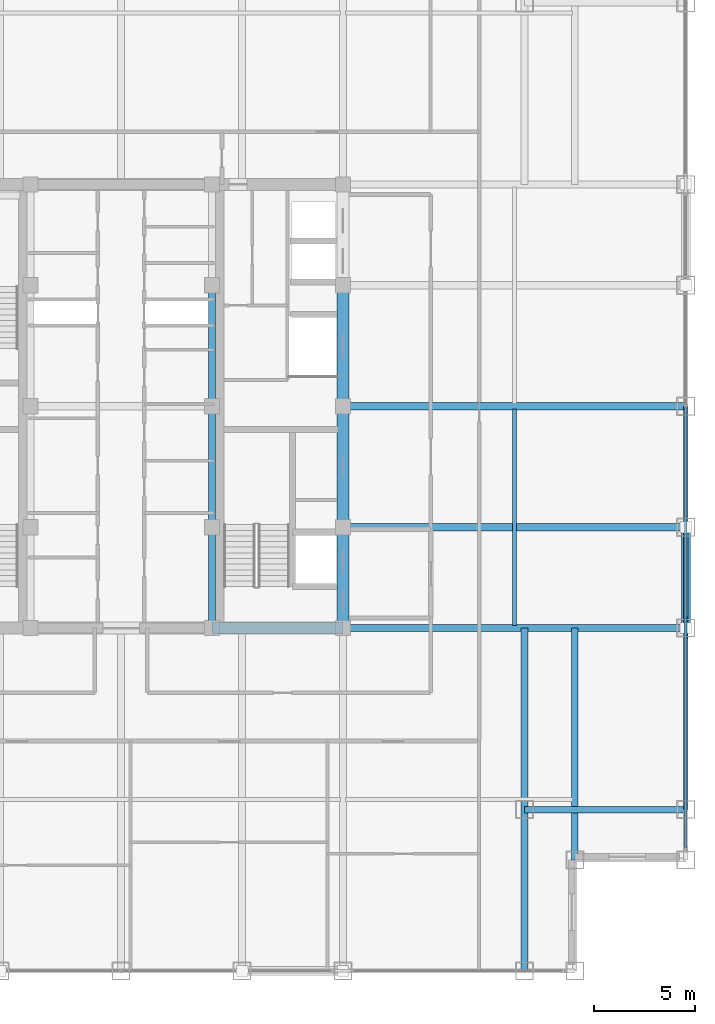
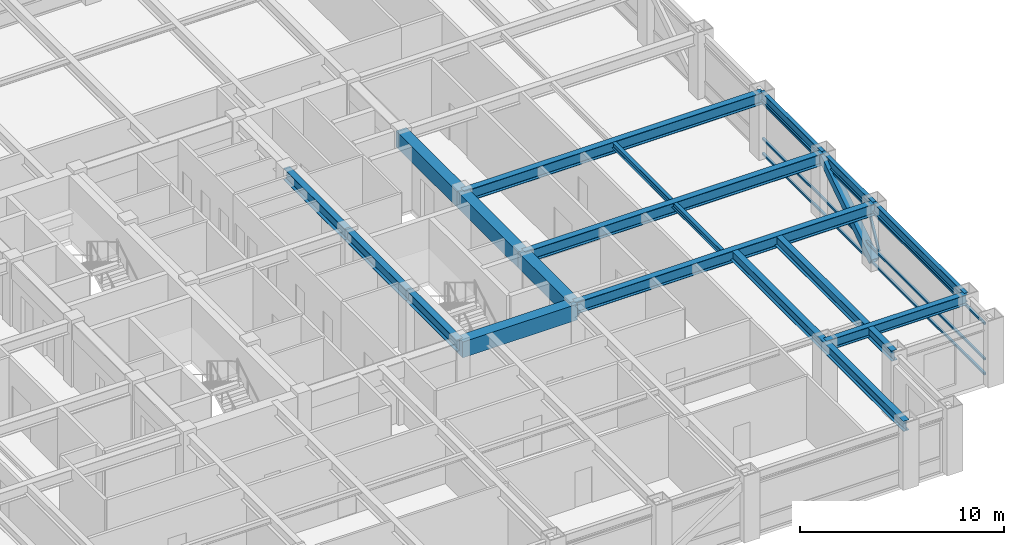
# One storey, part 9 of 22: 17 beams, 5 members, 1 element without a shape of its own.
"""IFC4 building model written with IfcOpenShell, lengths in metres."""

from ifc_helpers import new_model, si_unit, direction, frame, origin, origin_2d, place, context, subcontext, project, spatial, rectangle, hollow_rectangle, i_section, extrude, source, transform, mapped, material, material_profile, profile_set, type_object, element, aggregate, save


model = new_model("IFC4")

# Units and contexts
model_context = context("Model", 3, precision=1e-05, world=origin(), true_north=direction((0.0, 1.0)))
body_context = subcontext(model_context, "Body", "Model", "MODEL_VIEW")
ifc_project = project(units=[si_unit("LENGTHUNIT", "METRE"), si_unit("AREAUNIT", "SQUARE_METRE"), si_unit("VOLUMEUNIT", "CUBIC_METRE"), si_unit("PLANEANGLEUNIT", "RADIAN"), si_unit("MASSUNIT", "GRAM", prefix="KILO")], contexts=[model_context])

# Site, building, storey
site_placement = place(None, origin())
site = spatial("IfcSite", under=ifc_project, at=site_placement, CompositionType="ELEMENT")
building_placement = place(site_placement, origin())
building = spatial("IfcBuilding", under=site, at=building_placement, Name="Khorayat Bourse Tower", CompositionType="ELEMENT")
storey_placement = place(building_placement, frame((0.0, 0.0, 297.5)))
storey = spatial("IfcBuildingStorey", under=building, at=storey_placement, Name="L70", CompositionType="ELEMENT", Elevation=297.5)

# Beams
ifc_material_1 = material(Name="Steel ASTM A992 Grade 50", Category="steel")
ifc_material_profile_1 = material_profile(ifc_material_1, i_section(OverallWidth=0.35498046875, OverallDepth=0.695068359375, WebThickness=0.015380859375, FlangeThickness=0.02490234375, FilletRadius=0.01806640625, at=origin_2d()), Name="W690X217")
ifc_profile_set_1 = profile_set([ifc_material_profile_1], Name="Steel ASTM A992 Grade 50")
beam_type_1 = type_object("IfcBeamType", Name="BM-GIRD-690", PredefinedType="BEAM", material=ifc_profile_set_1)
shared_shape_1 = source(origin(), body_context, "Body", "SweptSolid", [
    extrude(i_section(OverallWidth=0.35498046875, OverallDepth=0.695068359375, WebThickness=0.015380859375, FlangeThickness=0.02490234375, FilletRadius=0.01806640625, at=origin_2d()), origin(), (0.0, 0.0, 1.0), 5.0),
])
beam_1_placement = place(storey_placement, frame((4.5, -11.0, 3.4326171875), z_axis=(0.0, 1.0, 0.0), x_axis=(-1.0, 0.0, 0.0)))
element("IfcBeam", 1, at=beam_1_placement, inside=storey, type_object=beam_type_1, Name="L70 BM-GIRD-690 BM-L70-CRX-09", PredefinedType="BEAM", context=body_context, shape_type="MappedRepresentation", body=[
    mapped(shared_shape_1, transform((0.0, 0.0, 0.0), scale=1.0)),
])
shared_shape_2 = source(origin(), body_context, "Body", "SweptSolid", [
    extrude(i_section(OverallWidth=0.35498046875, OverallDepth=0.695068359375, WebThickness=0.015380859375, FlangeThickness=0.02490234375, FilletRadius=0.01806640625, at=origin_2d()), origin(), (0.0, 0.0, 1.0), 6.0),
])
for number, where, z_axis, x_axis, name in (
    (2, (4.5, -6.0, 3.4326171875), (0.0, 1.0, 0.0), (-1.0, 0.0, 0.0), "L70 BM-GIRD-690 BM-L70-CRX-10"),
    (3, (4.5, 0.0, 3.4326171875), (0.0, 1.0, 0.0), (-1.0, 0.0, 0.0), "L70 BM-GIRD-690 BM-L70-CRX-11"),
):
    element("IfcBeam", number, at=place(storey_placement, frame(where, z_axis=z_axis, x_axis=x_axis)), inside=storey, type_object=beam_type_1, Name=name, PredefinedType="BEAM", context=body_context, shape_type="MappedRepresentation", body=[
        mapped(shared_shape_2, transform((0.0, 0.0, 0.0), scale=1.0)),
    ])
ifc_material_profile_2 = material_profile(ifc_material_1, i_section(OverallWidth=0.324951171875, OverallDepth=0.615966796875, WebThickness=0.013916015625, FlangeThickness=0.021484375, FilletRadius=0.01611328125, at=origin_2d()), Name="W610X174")
ifc_profile_set_2 = profile_set([ifc_material_profile_2], Name="Steel ASTM A992 Grade 50")
beam_type_2 = type_object("IfcBeamType", Name="BM-GIRD-610", PredefinedType="BEAM", material=ifc_profile_set_2)
shared_shape_3 = source(origin(), body_context, "Body", "SweptSolid", [
    extrude(i_section(OverallWidth=0.324951171875, OverallDepth=0.615966796875, WebThickness=0.013916015625, FlangeThickness=0.021484375, FilletRadius=0.01611328125, at=origin_2d()), origin(), (0.0, 0.0, 1.0), 17.0),
])
beam_2_placement = place(storey_placement, frame((20.0, -28.0, 3.471923828125), z_axis=(0.0, 1.0, 0.0), x_axis=(-1.0, 0.0, 0.0)))
element("IfcBeam", 4, at=beam_2_placement, inside=storey, type_object=beam_type_2, Name="L70 BM-GIRD-610 BM-L70-CNRY-086", PredefinedType="BEAM", context=body_context, shape_type="MappedRepresentation", body=[
    mapped(shared_shape_3, transform((0.0, 0.0, 0.0), scale=1.0)),
])
ifc_material_2 = material(Name="Concrete C60/75", Category="concrete")
ifc_material_profile_3 = material_profile(ifc_material_2, rectangle(XDim=0.60009765625, YDim=0.949951171875, at=origin_2d()), Name="RC 600x950")
ifc_profile_set_3 = profile_set([ifc_material_profile_3], Name="Concrete C60/75")
beam_type_3 = type_object("IfcBeamType", Name="BM-COUP-950", PredefinedType="BEAM", material=ifc_profile_set_3)
shared_shape_4 = source(origin(), body_context, "Body", "SweptSolid", [
    extrude(rectangle(XDim=0.60009765625, YDim=0.949951171875, at=origin_2d()), origin(), (0.0, 0.0, 1.0), 5.0),
])
beam_3_placement = place(storey_placement, frame((11.0, -11.0, 3.304931640625), z_axis=(0.0, 1.0, 0.0), x_axis=(-1.0, 0.0, 0.0)))
element("IfcBeam", 5, at=beam_3_placement, inside=storey, type_object=beam_type_3, Name="L70 BM-COUP-950 BM-L70-CRX-13", PredefinedType="BEAM", context=body_context, shape_type="MappedRepresentation", body=[
    mapped(shared_shape_4, transform((0.0, 0.0, 0.0), scale=1.0)),
])
shared_shape_5 = source(origin(), body_context, "Body", "SweptSolid", [
    extrude(rectangle(XDim=0.60009765625, YDim=0.949951171875, at=origin_2d()), origin(), (0.0, 0.0, 1.0), 6.0),
])
for number, where, z_axis, x_axis, name in (
    (6, (11.0, -6.0, 3.304931640625), (0.0, 1.0, 0.0), (-1.0, 0.0, 0.0), "L70 BM-COUP-950 BM-L70-CRX-14"),
    (7, (11.0, 0.0, 3.304931640625), (0.0, 1.0, 0.0), (-1.0, 0.0, 0.0), "L70 BM-COUP-950 BM-L70-CRX-15"),
):
    element("IfcBeam", number, at=place(storey_placement, frame(where, z_axis=z_axis, x_axis=x_axis)), inside=storey, type_object=beam_type_3, Name=name, PredefinedType="BEAM", context=body_context, shape_type="MappedRepresentation", body=[
        mapped(shared_shape_5, transform((0.0, 0.0, 0.0), scale=1.0)),
    ])
shared_shape_6 = source(origin(), body_context, "Body", "SweptSolid", [
    extrude(rectangle(XDim=0.60009765625, YDim=0.949951171875, at=origin_2d()), origin(), (0.0, 0.0, 1.0), 6.5),
])
beam_4_placement = place(storey_placement, frame((4.5, -11.0, 3.304931640625), z_axis=(1.0, 0.0, 0.0), x_axis=(0.0, 1.0, 0.0)))
element("IfcBeam", 8, at=beam_4_placement, inside=storey, type_object=beam_type_3, Name="L70 BM-COUP-950 BM-L70-CRY-19", PredefinedType="BEAM", context=body_context, shape_type="MappedRepresentation", body=[
    mapped(shared_shape_6, transform((0.0, 0.0, 0.0), scale=1.0)),
])

# Member
ifc_material_3 = material(Name="Steel EN 10025-4 S460M", Category="steel")
ifc_material_profile_4 = material_profile(ifc_material_3, hollow_rectangle(XDim=0.449951171875, YDim=0.449951171875, WallThickness=0.02490234375, at=origin_2d()), Name="HSS 450x450x25")
ifc_profile_set_4 = profile_set([ifc_material_profile_4], Name="Steel EN 10025-4 S460M")
member_type_1 = type_object("IfcMemberType", Name="MBR-TUBE-450", PredefinedType="BRACE", material=ifc_profile_set_4)
shared_shape_7 = source(origin(), body_context, "Body", "SweptSolid", [
    extrude(hollow_rectangle(XDim=0.449951171875, YDim=0.449951171875, WallThickness=0.02490234375, at=origin_2d()), origin(), (0.0, 0.0, 1.0), 5.979736328125),
])
member_1_placement = place(storey_placement, frame((28.0, -11.0, 0.25), z_axis=(0.0, 0.836141536525, 0.548513747227), x_axis=(-1.0, 0.0, 0.0)))
element("IfcMember", 9, at=member_1_placement, inside=storey, type_object=member_type_1, Name="L70 Perimeter Tube Brace 07", PredefinedType="BRACE", context=body_context, shape_type="MappedRepresentation", body=[
    mapped(shared_shape_7, transform((0.0, 0.0, 0.0), scale=1.0)),
])

# Beams
shared_shape_8 = source(origin(), body_context, "Body", "SweptSolid", [
    extrude(i_section(OverallWidth=0.35498046875, OverallDepth=0.695068359375, WebThickness=0.015380859375, FlangeThickness=0.02490234375, FilletRadius=0.01806640625, at=origin_2d()), origin(), (0.0, 0.0, 1.0), 17.0),
])
for number, where, z_axis, x_axis, name in (
    (10, (11.0, -11.0, 3.4326171875), (1.0, 0.0, 0.0), (0.0, 1.0, 0.0), "L70 BM-GIRD-690 BM-L70-RADX-074"),
    (11, (11.0, -6.0, 3.4326171875), (1.0, 0.0, 0.0), (0.0, 1.0, 0.0), "L70 BM-GIRD-690 BM-L70-RADX-076"),
    (12, (11.0, 0.0, 3.4326171875), (1.0, 0.0, 0.0), (0.0, 1.0, 0.0), "L70 BM-GIRD-690 BM-L70-RADX-078"),
):
    element("IfcBeam", number, at=place(storey_placement, frame(where, z_axis=z_axis, x_axis=x_axis)), inside=storey, type_object=beam_type_1, Name=name, PredefinedType="BEAM", context=body_context, shape_type="MappedRepresentation", body=[
        mapped(shared_shape_8, transform((0.0, 0.0, 0.0), scale=1.0)),
    ])
shared_shape_9 = source(origin(), body_context, "Body", "SweptSolid", [
    extrude(i_section(OverallWidth=0.324951171875, OverallDepth=0.615966796875, WebThickness=0.013916015625, FlangeThickness=0.021484375, FilletRadius=0.01611328125, at=origin_2d()), origin(), (0.0, 0.0, 1.0), 11.5),
])
beam_5_placement = place(storey_placement, frame((22.5, -22.5, 3.471923828125), z_axis=(0.0, 1.0, 0.0), x_axis=(-1.0, 0.0, 0.0)))
element("IfcBeam", 13, at=beam_5_placement, inside=storey, type_object=beam_type_2, Name="L70 BM-GIRD-610 BM-L70-CNRY-090", PredefinedType="BEAM", context=body_context, shape_type="MappedRepresentation", body=[
    mapped(shared_shape_9, transform((0.0, 0.0, 0.0), scale=1.0)),
])
shared_shape_10 = source(origin(), body_context, "Body", "SweptSolid", [
    extrude(i_section(OverallWidth=0.324951171875, OverallDepth=0.615966796875, WebThickness=0.013916015625, FlangeThickness=0.021484375, FilletRadius=0.01611328125, at=origin_2d()), origin(), (0.0, 0.0, 1.0), 8.0),
])
beam_6_placement = place(storey_placement, frame((20.0, -20.0, 3.471923828125), z_axis=(1.0, 0.0, 0.0), x_axis=(0.0, 1.0, 0.0)))
element("IfcBeam", 14, at=beam_6_placement, inside=storey, type_object=beam_type_2, Name="L70 BM-GIRD-610 BM-L70-CNRX-092", PredefinedType="BEAM", context=body_context, shape_type="MappedRepresentation", body=[
    mapped(shared_shape_10, transform((0.0, 0.0, 0.0), scale=1.0)),
])
ifc_material_profile_5 = material_profile(ifc_material_1, i_section(OverallWidth=0.202880859375, OverallDepth=0.346923828125, WebThickness=0.0078125, FlangeThickness=0.013427734375, FilletRadius=0.010009765625, at=origin_2d()), Name="W360X64")
ifc_profile_set_5 = profile_set([ifc_material_profile_5], Name="Steel ASTM A992 Grade 50")
beam_type_4 = type_object("IfcBeamType", Name="BM-JOIST-360", PredefinedType="JOIST", material=ifc_profile_set_5)
shared_shape_11 = source(origin(), body_context, "Body", "SweptSolid", [
    extrude(i_section(OverallWidth=0.202880859375, OverallDepth=0.346923828125, WebThickness=0.0078125, FlangeThickness=0.013427734375, FilletRadius=0.010009765625, at=origin_2d()), origin(), (0.0, 0.0, 1.0), 10.740234375),
])
beam_7_placement = place(storey_placement, frame((19.5, -10.8701171875, 3.6064453125), z_axis=(0.0, 1.0, 0.0), x_axis=(-1.0, 0.0, 0.0)))
element("IfcBeam", 15, at=beam_7_placement, inside=storey, type_object=beam_type_4, Name="L70 BM-JOIST-360 BM-L70-JSTY-104", PredefinedType="JOIST", context=body_context, shape_type="MappedRepresentation", body=[
    mapped(shared_shape_11, transform((0.0, 0.0, 0.0), scale=1.0)),
])
ifc_material_profile_6 = material_profile(ifc_material_1, i_section(OverallWidth=0.214111328125, OverallDepth=0.549072265625, WebThickness=0.0146484375, FlangeThickness=0.023681640625, FilletRadius=0.013916015625, at=origin_2d()), Name="W530X138")
ifc_profile_set_6 = profile_set([ifc_material_profile_6], Name="Steel ASTM A992 Grade 50")
beam_type_5 = type_object("IfcBeamType", Name="BM-SPAN-530", PredefinedType="SPANDREL", material=ifc_profile_set_6)
shared_shape_12 = source(origin(), body_context, "Body", "SweptSolid", [
    extrude(i_section(OverallWidth=0.214111328125, OverallDepth=0.549072265625, WebThickness=0.0146484375, FlangeThickness=0.023681640625, FilletRadius=0.013916015625, at=origin_2d()), origin(), (0.0, 0.0, 1.0), 9.0),
])
beam_8_placement = place(storey_placement, frame((28.0, -20.0, 3.505615234375), z_axis=(0.0, 1.0, 0.0), x_axis=(-1.0, 0.0, 0.0)))
element("IfcBeam", 16, at=beam_8_placement, inside=storey, type_object=beam_type_5, Name="L70 BM-SPAN-530 BM-L70-SPN-035", PredefinedType="SPANDREL", context=body_context, shape_type="MappedRepresentation", body=[
    mapped(shared_shape_12, transform((0.0, 0.0, 0.0), scale=1.0)),
])
shared_shape_13 = source(origin(), body_context, "Body", "SweptSolid", [
    extrude(i_section(OverallWidth=0.214111328125, OverallDepth=0.549072265625, WebThickness=0.0146484375, FlangeThickness=0.023681640625, FilletRadius=0.013916015625, at=origin_2d()), origin(), (0.0, 0.0, 1.0), 5.0),
])
beam_9_placement = place(storey_placement, frame((28.0, -11.0, 3.505615234375), z_axis=(0.0, 1.0, 0.0), x_axis=(-1.0, 0.0, 0.0)))
element("IfcBeam", 17, at=beam_9_placement, inside=storey, type_object=beam_type_5, Name="L70 BM-SPAN-530 BM-L70-SPN-036", PredefinedType="SPANDREL", context=body_context, shape_type="MappedRepresentation", body=[
    mapped(shared_shape_13, transform((0.0, 0.0, 0.0), scale=1.0)),
])
shared_shape_14 = source(origin(), body_context, "Body", "SweptSolid", [
    extrude(i_section(OverallWidth=0.214111328125, OverallDepth=0.549072265625, WebThickness=0.0146484375, FlangeThickness=0.023681640625, FilletRadius=0.013916015625, at=origin_2d()), origin(), (0.0, 0.0, 1.0), 6.0),
])
beam_10_placement = place(storey_placement, frame((28.0, -6.0, 3.505615234375), z_axis=(0.0, 1.0, 0.0), x_axis=(-1.0, 0.0, 0.0)))
element("IfcBeam", 18, at=beam_10_placement, inside=storey, type_object=beam_type_5, Name="L70 BM-SPAN-530 BM-L70-SPN-037", PredefinedType="SPANDREL", context=body_context, shape_type="MappedRepresentation", body=[
    mapped(shared_shape_14, transform((0.0, 0.0, 0.0), scale=1.0)),
])

# Curtain wall, members
ifc_material_4 = material(Name="Aluminium EN AW-6063 T6", Category="aluminium")
curtain_wall_type = type_object("IfcCurtainWallType", Name="CW-SYS-04", PredefinedType="NOTDEFINED", material=ifc_material_4)
curtain_wall_placement = place(storey_placement, origin())
curtain_wall = element("IfcCurtainWall", 19, at=curtain_wall_placement, inside=storey, type_object=curtain_wall_type, Name="L70 Curtain Wall CW-L70-E1", PredefinedType="NOTDEFINED")
ifc_material_profile_7 = material_profile(ifc_material_4, hollow_rectangle(XDim=0.1201171875, YDim=0.1201171875, WallThickness=0.0048828125, at=origin_2d()), Name="ALU 120x120x5")
ifc_profile_set_7 = profile_set([ifc_material_profile_7], Name="Aluminium EN AW-6063 T6")
member_type_2 = type_object("IfcMemberType", Name="CWM-DIAG-120", PredefinedType="MULLION", material=ifc_profile_set_7)
shared_shape_15 = source(origin(), body_context, "Body", "SweptSolid", [
    extrude(hollow_rectangle(XDim=0.1201171875, YDim=0.1201171875, WallThickness=0.0048828125, at=origin_2d()), origin(), (0.0, 0.0, 1.0), 2.0791015625),
])
member_2_placement = place(storey_placement, frame((28.0, -11.4541015625, 1.090087890625), z_axis=(0.0, 0.465717394116, 0.884933505309), x_axis=(-1.0, 0.0, 0.0)))
member_2 = element("IfcMember", 20, at=member_2_placement, type_object=member_type_2, Name="CW-L70-E1 Faceted Diagonal Mullion 1", PredefinedType="MULLION", context=body_context, shape_type="MappedRepresentation", body=[
    mapped(shared_shape_15, transform((0.0, 0.0, 0.0), scale=1.0)),
])
ifc_material_profile_8 = material_profile(ifc_material_4, hollow_rectangle(XDim=0.1201171875, YDim=0.1201171875, WallThickness=0.0048828125, at=origin_2d()), Name="ALU 120x120x5")
ifc_profile_set_8 = profile_set([ifc_material_profile_8], Name="Aluminium EN AW-6063 T6")
member_type_3 = type_object("IfcMemberType", Name="CWT-HORZ-120", PredefinedType="USERDEFINED", material=ifc_profile_set_8)
shared_shape_16 = source(origin(), body_context, "Body", "SweptSolid", [
    extrude(hollow_rectangle(XDim=0.1201171875, YDim=0.1201171875, WallThickness=0.0048828125, at=origin_2d()), origin(), (0.0, 0.0, 1.0), 21.81982421875),
])
member_3_placement = place(storey_placement, frame((28.0, -21.8798828125, 0.06005859375), z_axis=(0.0, 1.0, 0.0), x_axis=(-1.0, 0.0, 0.0)))
member_3 = element("IfcMember", 21, at=member_3_placement, type_object=member_type_3, Name="CW-L70-E1 Horizontal Transom 1-1", ObjectType="TRANSOM", PredefinedType="USERDEFINED", context=body_context, shape_type="MappedRepresentation", body=[
    mapped(shared_shape_16, transform((0.0, 0.0, 0.0), scale=1.0)),
])
member_4_placement = place(storey_placement, frame((28.0, -21.8798828125, 0.949951171875), z_axis=(0.0, 1.0, 0.0), x_axis=(-1.0, 0.0, 0.0)))
member_4 = element("IfcMember", 22, at=member_4_placement, type_object=member_type_3, Name="CW-L70-E1 Horizontal Transom 1-2", ObjectType="TRANSOM", PredefinedType="USERDEFINED", context=body_context, shape_type="MappedRepresentation", body=[
    mapped(shared_shape_16, transform((0.0, 0.0, 0.0), scale=1.0)),
])
member_5_placement = place(storey_placement, frame((28.0, -21.8798828125, 3.070068359375), z_axis=(0.0, 1.0, 0.0), x_axis=(-1.0, 0.0, 0.0)))
member_5 = element("IfcMember", 23, at=member_5_placement, type_object=member_type_3, Name="CW-L70-E1 Horizontal Transom 1-3", ObjectType="TRANSOM", PredefinedType="USERDEFINED", context=body_context, shape_type="MappedRepresentation", body=[
    mapped(shared_shape_16, transform((0.0, 0.0, 0.0), scale=1.0)),
])
aggregate(curtain_wall, [member_3, member_4, member_5, member_2])

save(model, "model.ifc")
